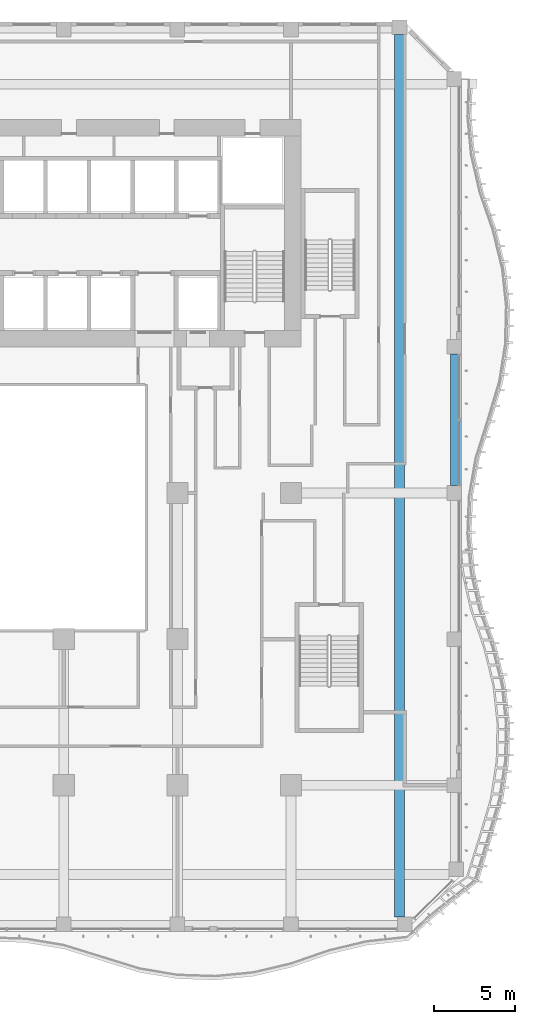
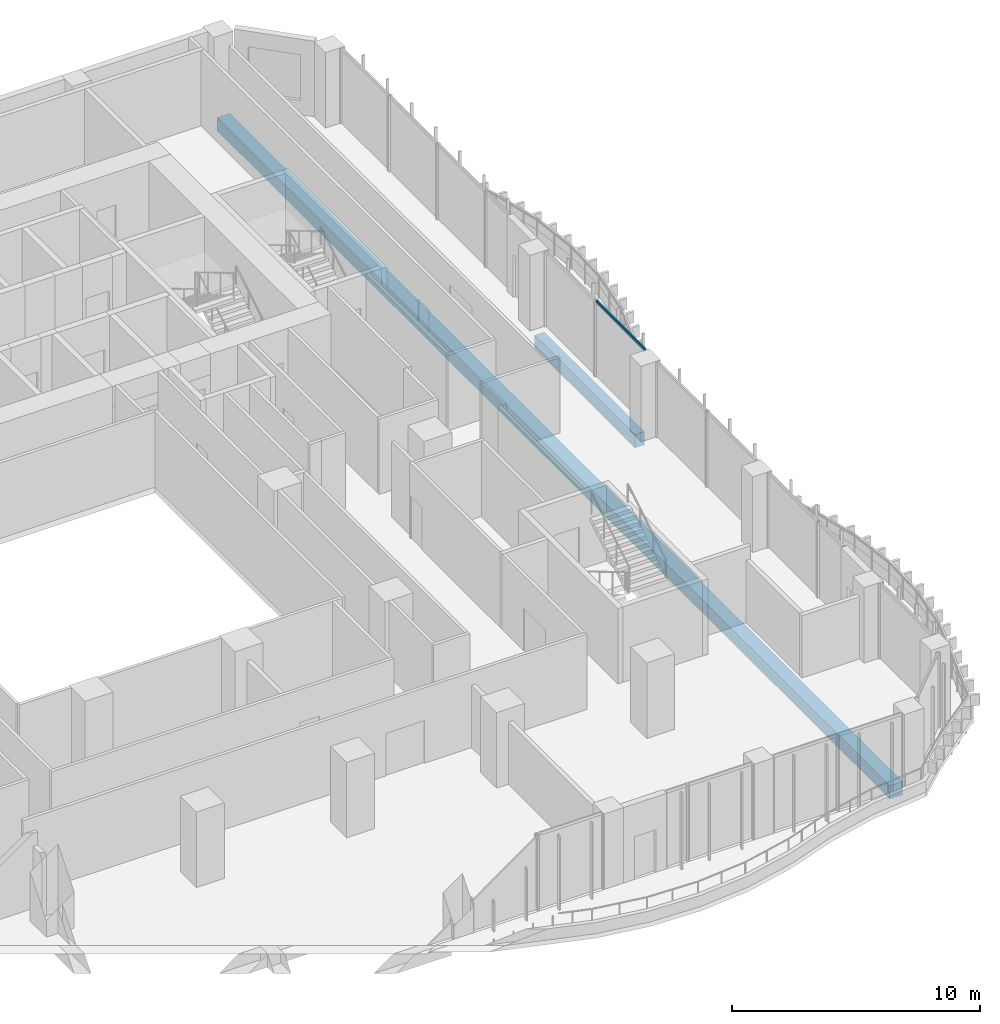
# One storey, part 7 of 27: 2 beams, 1 member, 1 element without a shape of its own.
"""IFC4 building model written with IfcOpenShell, lengths in metres."""

from ifc_helpers import new_model, si_unit, direction, frame, origin, origin_2d, place, context, subcontext, project, spatial, rectangle, extrude, source, transform, mapped, material, material_profile, profile_set, type_object, element, aggregate, save


model = new_model("IFC4")

# Units and contexts
model_context = context("Model", 3, precision=1e-05, world=origin(), true_north=direction((0.0, 1.0)))
body_context = subcontext(model_context, "Body", "Model", "MODEL_VIEW")
ifc_project = project(units=[si_unit("LENGTHUNIT", "METRE"), si_unit("AREAUNIT", "SQUARE_METRE"), si_unit("VOLUMEUNIT", "CUBIC_METRE"), si_unit("PLANEANGLEUNIT", "RADIAN"), si_unit("MASSUNIT", "GRAM", prefix="KILO")], contexts=[model_context])

# Site, building, storey
site_placement = place(None, origin())
site = spatial("IfcSite", under=ifc_project, at=site_placement, CompositionType="ELEMENT")
building_placement = place(site_placement, origin())
building = spatial("IfcBuilding", under=site, at=building_placement, Name="Kilnfold Tower and Market Hall", CompositionType="ELEMENT")
storey_placement = place(building_placement, frame((0.0, 0.0, 43.0)))
storey = spatial("IfcBuildingStorey", under=building, at=storey_placement, Name="L09", CompositionType="ELEMENT", Elevation=43.0)

# Beams
ifc_material_1 = material(Name="Concrete C45", Category="concrete")
ifc_material_profile_1 = material_profile(ifc_material_1, rectangle(XDim=0.60009765625, YDim=0.64990234375, at=origin_2d()), Name="RC 600x650")
ifc_profile_set_1 = profile_set([ifc_material_profile_1], Name="Concrete C45")
beam_type_1 = type_object("IfcBeamType", Name="BEAM 600X650 C45", PredefinedType="BEAM", material=ifc_profile_set_1)
shared_shape_1 = source(origin(), body_context, "Body", "SweptSolid", [
    extrude(rectangle(XDim=0.60009765625, YDim=0.64990234375, at=origin_2d()), origin(), (0.0, 0.0, 1.0), 54.331787109375),
])
beam_1_placement = place(storey_placement, frame((24.179931640625, -27.10009765625, -0.60498046875), z_axis=(0.0, 1.0, 0.0), x_axis=(-1.0, 0.0, 0.0)))
element("IfcBeam", 1, at=beam_1_placement, inside=storey, type_object=beam_type_1, Name="Beam BB650-B1.57", PredefinedType="BEAM", context=body_context, shape_type="MappedRepresentation", body=[
    mapped(shared_shape_1, transform((0.0, 0.0, 0.0))),
])
ifc_material_2 = material(Name="Concrete C45", Category="concrete")
ifc_material_profile_2 = material_profile(ifc_material_2, rectangle(XDim=0.449951171875, YDim=0.64990234375, at=origin_2d()), Name="RC 450x650")
ifc_profile_set_2 = profile_set([ifc_material_profile_2], Name="Concrete C45")
beam_type_2 = type_object("IfcBeamType", Name="EDGE BEAM 450X650 C45", PredefinedType="BEAM", material=ifc_profile_set_2)
shared_shape_2 = source(origin(), body_context, "Body", "SweptSolid", [
    extrude(rectangle(XDim=0.449951171875, YDim=0.64990234375, at=origin_2d()), origin(), (0.0, 0.0, 1.0), 8.10009765625),
])
beam_2_placement = place(storey_placement, frame((27.550048828125, -0.550048828125, -0.60498046875), z_axis=(0.0, 1.0, 0.0), x_axis=(-1.0, 0.0, 0.0)))
element("IfcBeam", 2, at=beam_2_placement, inside=storey, type_object=beam_type_2, Name="Beam EB650-B1.53", PredefinedType="BEAM", context=body_context, shape_type="MappedRepresentation", body=[
    mapped(shared_shape_2, transform((0.0, 0.0, 0.0))),
])

# Curtain wall, member
ifc_material_3 = material(Name="Aluminium and double glazing", Category="aluminium")
curtain_wall_type = type_object("IfcCurtainWallType", Name="CW OF1 VALLEY GLAZING", PredefinedType="NOTDEFINED", material=ifc_material_3)
curtain_wall_placement = place(storey_placement, origin())
curtain_wall = element("IfcCurtainWall", 3, at=curtain_wall_placement, inside=storey, type_object=curtain_wall_type, Name="Curtain wall CW1 L09 E", PredefinedType="NOTDEFINED")
ifc_material_4 = material(Name="Aluminium", Category="aluminium")
ifc_material_profile_3 = material_profile(ifc_material_4, rectangle(XDim=0.06005859375, YDim=0.139892578125, at=origin_2d()), Name="TRANSOM 60x140")
ifc_profile_set_3 = profile_set([ifc_material_profile_3], Name="Aluminium")
member_type = type_object("IfcMemberType", Name="TRANSOM 60X140", PredefinedType="USERDEFINED", material=ifc_profile_set_3)
shared_shape_3 = source(origin(), body_context, "Body", "SweptSolid", [
    extrude(rectangle(XDim=0.06005859375, YDim=0.139892578125, at=origin_2d()), origin(), (0.0, 0.0, 1.0), 3.929931640625),
])
member_placement = place(storey_placement, frame((27.85009765625, -0.489990234375, 3.68994140625), z_axis=(0.0, 1.0, 0.0), x_axis=(-1.0, 0.0, 0.0)))
member = element("IfcMember", 4, at=member_placement, type_object=member_type, Name="CW1 transom 1.2", ObjectType="TRANSOM", PredefinedType="USERDEFINED", context=body_context, shape_type="MappedRepresentation", body=[
    mapped(shared_shape_3, transform((0.0, 0.0, 0.0))),
])
aggregate(curtain_wall, [member])

save(model, "model.ifc")
